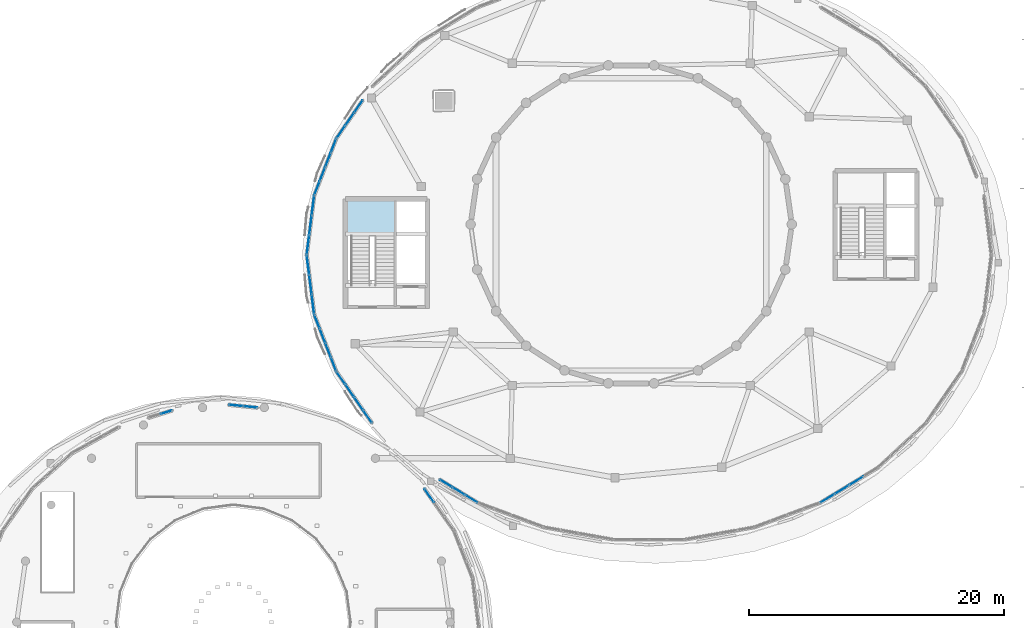
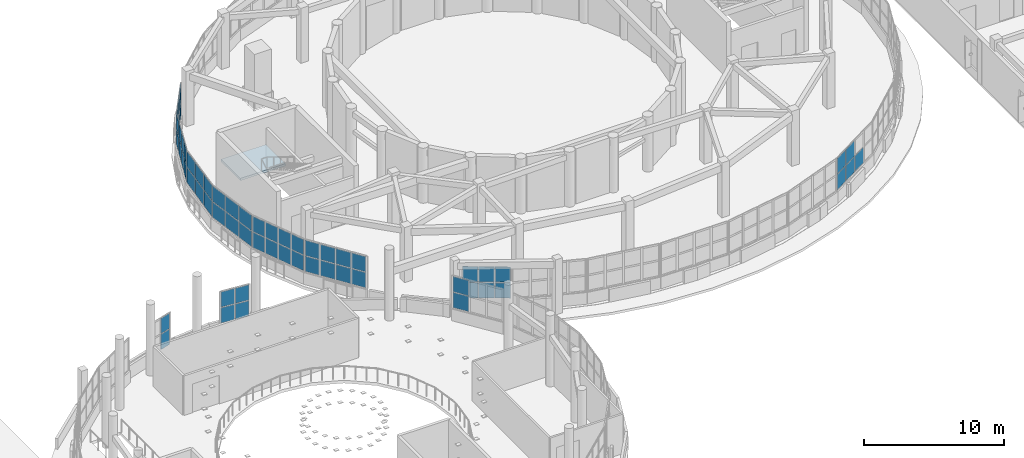
# One storey, part 76 of 105: 61 plates, 1 slab, 12 elements without a shape of their own.
"""IFC4 building model written with IfcOpenShell, lengths in metres."""

from ifc_helpers import new_model, si_unit, direction, frame, origin, origin_2d, place, context, subcontext, project, spatial, polyline, rectangle, outline, extrude, material, layer, layer_set, type_object, element, aggregate, save


model = new_model("IFC4")

# Units and contexts
model_context = context("Model", 3, precision=1e-05, world=origin(), true_north=direction((0.0, 1.0)))
body_context = subcontext(model_context, "Body", "Model", "MODEL_VIEW")
ifc_project = project(units=[si_unit("LENGTHUNIT", "METRE"), si_unit("AREAUNIT", "SQUARE_METRE"), si_unit("VOLUMEUNIT", "CUBIC_METRE"), si_unit("PLANEANGLEUNIT", "RADIAN"), si_unit("MASSUNIT", "GRAM", prefix="KILO")], contexts=[model_context])

# Site, building, storey
site_placement = place(None, origin())
site = spatial("IfcSite", under=ifc_project, at=site_placement, CompositionType="ELEMENT")
building_placement = place(site_placement, origin())
building = spatial("IfcBuilding", under=site, at=building_placement, Name="Pelvatis Terrace Science Centre", CompositionType="ELEMENT")
storey_placement = place(building_placement, frame((0.0, 0.0, 10.199951171875)))
storey = spatial("IfcBuildingStorey", under=building, at=storey_placement, Name="L02", CompositionType="ELEMENT", Elevation=10.199951171875)

# Curtain wall, plates
ifc_material_1 = material(Name="Bronze-anodised aluminium and laminated glass", Category="aluminium")
ifc_layer_1 = layer(ifc_material_1, 0.179931640625)
ifc_layer_set_1 = layer_set([ifc_layer_1], Name="Bronze-anodised aluminium and laminated glass")
curtain_wall_type = type_object("IfcCurtainWallType", Name="CW-RIBBON-A", PredefinedType="NOTDEFINED", material=ifc_layer_set_1)
curtain_wall_1_placement = place(storey_placement, origin())
curtain_wall_1 = element("IfcCurtainWall", 1, at=curtain_wall_1_placement, inside=storey, type_object=curtain_wall_type, Name="Ribbon curtain wall CW-079 (L02)", PredefinedType="NOTDEFINED")
ifc_material_2 = material(Name="Low-e laminated solar-control double glazing", Category="glass")
ifc_layer_2 = layer(ifc_material_2, 0.035888671875)
ifc_layer_set_2 = layer_set([ifc_layer_2], Name="Low-e laminated solar-control double glazing")
plate_type = type_object("IfcPlateType", Name="CWP-IGU-36", PredefinedType="CURTAIN_PANEL", material=ifc_layer_set_2)
plate_1_placement = place(storey_placement, frame((93.36181640625, 64.51611328125, 1.080078125), z_axis=(0.0, 0.0, 1.0), x_axis=(-0.57759146286, 0.8163259778, 0.0)))
plate_1 = element("IfcPlate", 2, at=plate_1_placement, type_object=plate_type, Name="CW-079 panel 3.1", PredefinedType="CURTAIN_PANEL", context=body_context, shape_type="SweptSolid", body=[
    extrude(rectangle(XDim=1.260986328125, YDim=0.035888671875, at=origin_2d()), origin(), (0.0, 0.0, 1.0), 1.330078125),
])
plate_2_placement = place(storey_placement, frame((93.36181640625, 64.51611328125, 2.469970703125), z_axis=(0.0, 0.0, 1.0), x_axis=(-0.57759146286, 0.8163259778, 0.0)))
plate_2 = element("IfcPlate", 3, at=plate_2_placement, type_object=plate_type, Name="CW-079 panel 3.2", PredefinedType="CURTAIN_PANEL", context=body_context, shape_type="SweptSolid", body=[
    extrude(rectangle(XDim=1.260986328125, YDim=0.035888671875, at=origin_2d()), origin(), (0.0, 0.0, 1.0), 1.330078125),
])
aggregate(curtain_wall_1, [plate_1, plate_2])

curtain_wall_2_placement = place(storey_placement, origin())
curtain_wall_2 = element("IfcCurtainWall", 4, at=curtain_wall_2_placement, inside=storey, type_object=curtain_wall_type, Name="Ribbon curtain wall CW-080 (L02)", PredefinedType="NOTDEFINED")
plate_3_placement = place(storey_placement, frame((79.322021484375, 71.477783203125, 1.080078125), z_axis=(0.0, 0.0, 1.0), x_axis=(-0.995032935496, 0.099546256977, 0.0)))
plate_3 = element("IfcPlate", 5, at=plate_3_placement, type_object=plate_type, Name="CW-080 panel 1.1", PredefinedType="CURTAIN_PANEL", context=body_context, shape_type="SweptSolid", body=[
    extrude(rectangle(XDim=1.07373046875, YDim=0.035888671875, at=origin_2d()), origin(), (0.0, 0.0, 1.0), 1.330078125),
])
plate_4_placement = place(storey_placement, frame((79.322021484375, 71.477783203125, 2.469970703125), z_axis=(0.0, 0.0, 1.0), x_axis=(-0.995032935496, 0.099546256977, 0.0)))
plate_4 = element("IfcPlate", 6, at=plate_4_placement, type_object=plate_type, Name="CW-080 panel 1.2", PredefinedType="CURTAIN_PANEL", context=body_context, shape_type="SweptSolid", body=[
    extrude(rectangle(XDim=1.07373046875, YDim=0.035888671875, at=origin_2d()), origin(), (0.0, 0.0, 1.0), 1.330078125),
])
plate_5_placement = place(storey_placement, frame((78.19384765625, 71.590576171875, 1.080078125), z_axis=(0.0, 0.0, 1.0), x_axis=(-0.995032935496, 0.099546256977, 0.0)))
plate_5 = element("IfcPlate", 7, at=plate_5_placement, type_object=plate_type, Name="CW-080 panel 2.1", PredefinedType="CURTAIN_PANEL", context=body_context, shape_type="SweptSolid", body=[
    extrude(rectangle(XDim=1.07373046875, YDim=0.035888671875, at=origin_2d()), origin(), (0.0, 0.0, 1.0), 1.330078125),
])
plate_6_placement = place(storey_placement, frame((78.19384765625, 71.590576171875, 2.469970703125), z_axis=(0.0, 0.0, 1.0), x_axis=(-0.995032935496, 0.099546256977, 0.0)))
plate_6 = element("IfcPlate", 8, at=plate_6_placement, type_object=plate_type, Name="CW-080 panel 2.2", PredefinedType="CURTAIN_PANEL", context=body_context, shape_type="SweptSolid", body=[
    extrude(rectangle(XDim=1.07373046875, YDim=0.035888671875, at=origin_2d()), origin(), (0.0, 0.0, 1.0), 1.330078125),
])
aggregate(curtain_wall_2, [plate_3, plate_4, plate_5, plate_6])

curtain_wall_3_placement = place(storey_placement, origin())
curtain_wall_3 = element("IfcCurtainWall", 9, at=curtain_wall_3_placement, inside=storey, type_object=curtain_wall_type, Name="Ribbon curtain wall CW-081 (L02)", PredefinedType="NOTDEFINED")
plate_7_placement = place(storey_placement, frame((72.729248046875, 71.0576171875, 1.080078125), z_axis=(0.0, 0.0, 1.0), x_axis=(-0.954960562512, -0.296732748523, 0.0)))
plate_7 = element("IfcPlate", 10, at=plate_7_placement, type_object=plate_type, Name="CW-081 panel 1.1", PredefinedType="CURTAIN_PANEL", context=body_context, shape_type="SweptSolid", body=[
    extrude(rectangle(XDim=0.923828125, YDim=0.035888671875, at=origin_2d()), origin(), (0.0, 0.0, 1.0), 1.330078125),
])
plate_8_placement = place(storey_placement, frame((72.729248046875, 71.0576171875, 2.469970703125), z_axis=(0.0, 0.0, 1.0), x_axis=(-0.954960562512, -0.296732748523, 0.0)))
plate_8 = element("IfcPlate", 11, at=plate_8_placement, type_object=plate_type, Name="CW-081 panel 1.2", PredefinedType="CURTAIN_PANEL", context=body_context, shape_type="SweptSolid", body=[
    extrude(rectangle(XDim=0.923828125, YDim=0.035888671875, at=origin_2d()), origin(), (0.0, 0.0, 1.0), 1.330078125),
])
aggregate(curtain_wall_3, [plate_7, plate_8])

curtain_wall_4_placement = place(storey_placement, origin())
curtain_wall_4 = element("IfcCurtainWall", 12, at=curtain_wall_4_placement, inside=storey, type_object=curtain_wall_type, Name="Ribbon curtain wall CW-166 (L02)", PredefinedType="NOTDEFINED")
plate_9_placement = place(storey_placement, frame((87.8046875, 95.041748046875, 1.080078125), z_axis=(0.0, 0.0, 1.0), x_axis=(-0.568200358358, -0.822890243448, 0.0)))
plate_9 = element("IfcPlate", 13, at=plate_9_placement, type_object=plate_type, Name="CW-166 panel 1.1", PredefinedType="CURTAIN_PANEL", context=body_context, shape_type="SweptSolid", body=[
    extrude(rectangle(XDim=1.13623046875, YDim=0.035888671875, at=origin_2d()), origin(), (0.0, 0.0, 1.0), 1.330078125),
])
plate_10_placement = place(storey_placement, frame((87.8046875, 95.041748046875, 2.469970703125), z_axis=(0.0, 0.0, 1.0), x_axis=(-0.568200358358, -0.822890243448, 0.0)))
plate_10 = element("IfcPlate", 14, at=plate_10_placement, type_object=plate_type, Name="CW-166 panel 1.2", PredefinedType="CURTAIN_PANEL", context=body_context, shape_type="SweptSolid", body=[
    extrude(rectangle(XDim=1.13623046875, YDim=0.035888671875, at=origin_2d()), origin(), (0.0, 0.0, 1.0), 1.330078125),
])
plate_11_placement = place(storey_placement, frame((87.116455078125, 94.044921875, 1.080078125), z_axis=(0.0, 0.0, 1.0), x_axis=(-0.568200358358, -0.822890243448, 0.0)))
plate_11 = element("IfcPlate", 15, at=plate_11_placement, type_object=plate_type, Name="CW-166 panel 2.1", PredefinedType="CURTAIN_PANEL", context=body_context, shape_type="SweptSolid", body=[
    extrude(rectangle(XDim=1.166259765625, YDim=0.035888671875, at=origin_2d()), origin(), (0.0, 0.0, 1.0), 1.330078125),
])
plate_12_placement = place(storey_placement, frame((87.116455078125, 94.044921875, 2.469970703125), z_axis=(0.0, 0.0, 1.0), x_axis=(-0.568200358358, -0.822890243448, 0.0)))
plate_12 = element("IfcPlate", 16, at=plate_12_placement, type_object=plate_type, Name="CW-166 panel 2.2", PredefinedType="CURTAIN_PANEL", context=body_context, shape_type="SweptSolid", body=[
    extrude(rectangle(XDim=1.166259765625, YDim=0.035888671875, at=origin_2d()), origin(), (0.0, 0.0, 1.0), 1.330078125),
])
plate_13_placement = place(storey_placement, frame((86.42822265625, 93.048095703125, 1.080078125), z_axis=(0.0, 0.0, 1.0), x_axis=(-0.568200358358, -0.822890243448, 0.0)))
plate_13 = element("IfcPlate", 17, at=plate_13_placement, type_object=plate_type, Name="CW-166 panel 3.1", PredefinedType="CURTAIN_PANEL", context=body_context, shape_type="SweptSolid", body=[
    extrude(rectangle(XDim=1.13623046875, YDim=0.035888671875, at=origin_2d()), origin(), (0.0, 0.0, 1.0), 1.330078125),
])
plate_14_placement = place(storey_placement, frame((86.42822265625, 93.048095703125, 2.469970703125), z_axis=(0.0, 0.0, 1.0), x_axis=(-0.568200358358, -0.822890243448, 0.0)))
plate_14 = element("IfcPlate", 18, at=plate_14_placement, type_object=plate_type, Name="CW-166 panel 3.2", PredefinedType="CURTAIN_PANEL", context=body_context, shape_type="SweptSolid", body=[
    extrude(rectangle(XDim=1.13623046875, YDim=0.035888671875, at=origin_2d()), origin(), (0.0, 0.0, 1.0), 1.330078125),
])
aggregate(curtain_wall_4, [plate_9, plate_10, plate_11, plate_12, plate_13, plate_14])

curtain_wall_5_placement = place(storey_placement, origin())
curtain_wall_5 = element("IfcCurtainWall", 19, at=curtain_wall_5_placement, inside=storey, type_object=curtain_wall_type, Name="Ribbon curtain wall CW-167 (L02)", PredefinedType="NOTDEFINED")
plate_15_placement = place(storey_placement, frame((85.84912109375, 91.959228515625, 1.080078125), z_axis=(0.0, 0.0, 1.0), x_axis=(-0.362220522536, -0.932092427313, 0.0)))
plate_15 = element("IfcPlate", 20, at=plate_15_placement, type_object=plate_type, Name="CW-167 panel 1.1", PredefinedType="CURTAIN_PANEL", context=body_context, shape_type="SweptSolid", body=[
    extrude(rectangle(XDim=1.107177734375, YDim=0.035888671875, at=origin_2d()), origin(), (0.0, 0.0, 1.0), 1.330078125),
])
plate_16_placement = place(storey_placement, frame((85.84912109375, 91.959228515625, 2.469970703125), z_axis=(0.0, 0.0, 1.0), x_axis=(-0.362220522536, -0.932092427313, 0.0)))
plate_16 = element("IfcPlate", 21, at=plate_16_placement, type_object=plate_type, Name="CW-167 panel 1.2", PredefinedType="CURTAIN_PANEL", context=body_context, shape_type="SweptSolid", body=[
    extrude(rectangle(XDim=1.107177734375, YDim=0.035888671875, at=origin_2d()), origin(), (0.0, 0.0, 1.0), 1.330078125),
])
plate_17_placement = place(storey_placement, frame((85.4208984375, 90.857421875, 1.080078125), z_axis=(0.0, 0.0, 1.0), x_axis=(-0.362220522536, -0.932092427313, 0.0)))
plate_17 = element("IfcPlate", 22, at=plate_17_placement, type_object=plate_type, Name="CW-167 panel 2.1", PredefinedType="CURTAIN_PANEL", context=body_context, shape_type="SweptSolid", body=[
    extrude(rectangle(XDim=1.13720703125, YDim=0.035888671875, at=origin_2d()), origin(), (0.0, 0.0, 1.0), 1.330078125),
])
plate_18_placement = place(storey_placement, frame((85.4208984375, 90.857421875, 2.469970703125), z_axis=(0.0, 0.0, 1.0), x_axis=(-0.362220522536, -0.932092427313, 0.0)))
plate_18 = element("IfcPlate", 23, at=plate_18_placement, type_object=plate_type, Name="CW-167 panel 2.2", PredefinedType="CURTAIN_PANEL", context=body_context, shape_type="SweptSolid", body=[
    extrude(rectangle(XDim=1.13720703125, YDim=0.035888671875, at=origin_2d()), origin(), (0.0, 0.0, 1.0), 1.330078125),
])
plate_19_placement = place(storey_placement, frame((84.987060546875, 89.741455078125, 1.080078125), z_axis=(0.0, 0.0, 1.0), x_axis=(-0.362220522536, -0.932092427313, 0.0)))
plate_19 = element("IfcPlate", 24, at=plate_19_placement, type_object=plate_type, Name="CW-167 panel 3.1", PredefinedType="CURTAIN_PANEL", context=body_context, shape_type="SweptSolid", body=[
    extrude(rectangle(XDim=1.13720703125, YDim=0.035888671875, at=origin_2d()), origin(), (0.0, 0.0, 1.0), 1.330078125),
])
plate_20_placement = place(storey_placement, frame((84.987060546875, 89.741455078125, 2.469970703125), z_axis=(0.0, 0.0, 1.0), x_axis=(-0.362220522536, -0.932092427313, 0.0)))
plate_20 = element("IfcPlate", 25, at=plate_20_placement, type_object=plate_type, Name="CW-167 panel 3.2", PredefinedType="CURTAIN_PANEL", context=body_context, shape_type="SweptSolid", body=[
    extrude(rectangle(XDim=1.13720703125, YDim=0.035888671875, at=origin_2d()), origin(), (0.0, 0.0, 1.0), 1.330078125),
])
plate_21_placement = place(storey_placement, frame((84.558837890625, 88.6396484375, 1.080078125), z_axis=(0.0, 0.0, 1.0), x_axis=(-0.362220522536, -0.932092427313, 0.0)))
plate_21 = element("IfcPlate", 26, at=plate_21_placement, type_object=plate_type, Name="CW-167 panel 4.1", PredefinedType="CURTAIN_PANEL", context=body_context, shape_type="SweptSolid", body=[
    extrude(rectangle(XDim=1.107177734375, YDim=0.035888671875, at=origin_2d()), origin(), (0.0, 0.0, 1.0), 1.330078125),
])
plate_22_placement = place(storey_placement, frame((84.558837890625, 88.6396484375, 2.469970703125), z_axis=(0.0, 0.0, 1.0), x_axis=(-0.362220522536, -0.932092427313, 0.0)))
plate_22 = element("IfcPlate", 27, at=plate_22_placement, type_object=plate_type, Name="CW-167 panel 4.2", PredefinedType="CURTAIN_PANEL", context=body_context, shape_type="SweptSolid", body=[
    extrude(rectangle(XDim=1.107177734375, YDim=0.035888671875, at=origin_2d()), origin(), (0.0, 0.0, 1.0), 1.330078125),
])
aggregate(curtain_wall_5, [plate_15, plate_16, plate_17, plate_18, plate_19, plate_20, plate_21, plate_22])

curtain_wall_6_placement = place(storey_placement, origin())
curtain_wall_6 = element("IfcCurtainWall", 28, at=curtain_wall_6_placement, inside=storey, type_object=curtain_wall_type, Name="Ribbon curtain wall CW-168 (L02)", PredefinedType="NOTDEFINED")
plate_23_placement = place(storey_placement, frame((84.237060546875, 87.27490234375, 1.080078125), z_axis=(0.0, 0.0, 1.0), x_axis=(-0.124714930048, -0.992192615485, 0.0)))
plate_23 = element("IfcPlate", 29, at=plate_23_placement, type_object=plate_type, Name="CW-168 panel 1.1", PredefinedType="CURTAIN_PANEL", context=body_context, shape_type="SweptSolid", body=[
    extrude(rectangle(XDim=1.47802734375, YDim=0.035888671875, at=origin_2d()), origin(), (0.0, 0.0, 1.0), 1.330078125),
])
plate_24_placement = place(storey_placement, frame((84.237060546875, 87.27490234375, 2.469970703125), z_axis=(0.0, 0.0, 1.0), x_axis=(-0.124714930048, -0.992192615485, 0.0)))
plate_24 = element("IfcPlate", 30, at=plate_24_placement, type_object=plate_type, Name="CW-168 panel 1.2", PredefinedType="CURTAIN_PANEL", context=body_context, shape_type="SweptSolid", body=[
    extrude(rectangle(XDim=1.47802734375, YDim=0.035888671875, at=origin_2d()), origin(), (0.0, 0.0, 1.0), 1.330078125),
])
plate_25_placement = place(storey_placement, frame((84.04345703125, 85.73388671875, 1.080078125), z_axis=(0.0, 0.0, 1.0), x_axis=(-0.124714930048, -0.992192615485, 0.0)))
plate_25 = element("IfcPlate", 31, at=plate_25_placement, type_object=plate_type, Name="CW-168 panel 2.1", PredefinedType="CURTAIN_PANEL", context=body_context, shape_type="SweptSolid", body=[
    extrude(rectangle(XDim=1.508056640625, YDim=0.035888671875, at=origin_2d()), origin(), (0.0, 0.0, 1.0), 1.330078125),
])
plate_26_placement = place(storey_placement, frame((84.04345703125, 85.73388671875, 2.469970703125), z_axis=(0.0, 0.0, 1.0), x_axis=(-0.124714930048, -0.992192615485, 0.0)))
plate_26 = element("IfcPlate", 32, at=plate_26_placement, type_object=plate_type, Name="CW-168 panel 2.2", PredefinedType="CURTAIN_PANEL", context=body_context, shape_type="SweptSolid", body=[
    extrude(rectangle(XDim=1.508056640625, YDim=0.035888671875, at=origin_2d()), origin(), (0.0, 0.0, 1.0), 1.330078125),
])
plate_27_placement = place(storey_placement, frame((83.849609375, 84.19287109375, 1.080078125), z_axis=(0.0, 0.0, 1.0), x_axis=(-0.124714930048, -0.992192615485, 0.0)))
plate_27 = element("IfcPlate", 33, at=plate_27_placement, type_object=plate_type, Name="CW-168 panel 3.1", PredefinedType="CURTAIN_PANEL", context=body_context, shape_type="SweptSolid", body=[
    extrude(rectangle(XDim=1.47802734375, YDim=0.035888671875, at=origin_2d()), origin(), (0.0, 0.0, 1.0), 1.330078125),
])
plate_28_placement = place(storey_placement, frame((83.849609375, 84.19287109375, 2.469970703125), z_axis=(0.0, 0.0, 1.0), x_axis=(-0.124714930048, -0.992192615485, 0.0)))
plate_28 = element("IfcPlate", 34, at=plate_28_placement, type_object=plate_type, Name="CW-168 panel 3.2", PredefinedType="CURTAIN_PANEL", context=body_context, shape_type="SweptSolid", body=[
    extrude(rectangle(XDim=1.47802734375, YDim=0.035888671875, at=origin_2d()), origin(), (0.0, 0.0, 1.0), 1.330078125),
])
aggregate(curtain_wall_6, [plate_23, plate_24, plate_25, plate_26, plate_27, plate_28])

curtain_wall_7_placement = place(storey_placement, origin())
curtain_wall_7 = element("IfcCurtainWall", 35, at=curtain_wall_7_placement, inside=storey, type_object=curtain_wall_type, Name="Ribbon curtain wall CW-169 (L02)", PredefinedType="NOTDEFINED")
plate_29_placement = place(storey_placement, frame((83.849609375, 82.607177734375, 1.080078125), z_axis=(0.0, 0.0, 1.0), x_axis=(0.124714930048, -0.992192615485, 0.0)))
plate_29 = element("IfcPlate", 36, at=plate_29_placement, type_object=plate_type, Name="CW-169 panel 1.1", PredefinedType="CURTAIN_PANEL", context=body_context, shape_type="SweptSolid", body=[
    extrude(rectangle(XDim=1.47802734375, YDim=0.035888671875, at=origin_2d()), origin(), (0.0, 0.0, 1.0), 1.330078125),
])
plate_30_placement = place(storey_placement, frame((83.849609375, 82.607177734375, 2.469970703125), z_axis=(0.0, 0.0, 1.0), x_axis=(0.124714930048, -0.992192615485, 0.0)))
plate_30 = element("IfcPlate", 37, at=plate_30_placement, type_object=plate_type, Name="CW-169 panel 1.2", PredefinedType="CURTAIN_PANEL", context=body_context, shape_type="SweptSolid", body=[
    extrude(rectangle(XDim=1.47802734375, YDim=0.035888671875, at=origin_2d()), origin(), (0.0, 0.0, 1.0), 1.330078125),
])
plate_31_placement = place(storey_placement, frame((84.04345703125, 81.066162109375, 1.080078125), z_axis=(0.0, 0.0, 1.0), x_axis=(0.124714930048, -0.992192615485, 0.0)))
plate_31 = element("IfcPlate", 38, at=plate_31_placement, type_object=plate_type, Name="CW-169 panel 2.1", PredefinedType="CURTAIN_PANEL", context=body_context, shape_type="SweptSolid", body=[
    extrude(rectangle(XDim=1.508056640625, YDim=0.035888671875, at=origin_2d()), origin(), (0.0, 0.0, 1.0), 1.330078125),
])
plate_32_placement = place(storey_placement, frame((84.04345703125, 81.066162109375, 2.469970703125), z_axis=(0.0, 0.0, 1.0), x_axis=(0.124714930048, -0.992192615485, 0.0)))
plate_32 = element("IfcPlate", 39, at=plate_32_placement, type_object=plate_type, Name="CW-169 panel 2.2", PredefinedType="CURTAIN_PANEL", context=body_context, shape_type="SweptSolid", body=[
    extrude(rectangle(XDim=1.508056640625, YDim=0.035888671875, at=origin_2d()), origin(), (0.0, 0.0, 1.0), 1.330078125),
])
plate_33_placement = place(storey_placement, frame((84.237060546875, 79.525146484375, 1.080078125), z_axis=(0.0, 0.0, 1.0), x_axis=(0.124714930048, -0.992192615485, 0.0)))
plate_33 = element("IfcPlate", 40, at=plate_33_placement, type_object=plate_type, Name="CW-169 panel 3.1", PredefinedType="CURTAIN_PANEL", context=body_context, shape_type="SweptSolid", body=[
    extrude(rectangle(XDim=1.47802734375, YDim=0.035888671875, at=origin_2d()), origin(), (0.0, 0.0, 1.0), 1.330078125),
])
plate_34_placement = place(storey_placement, frame((84.237060546875, 79.525146484375, 2.469970703125), z_axis=(0.0, 0.0, 1.0), x_axis=(0.124714930048, -0.992192615485, 0.0)))
plate_34 = element("IfcPlate", 41, at=plate_34_placement, type_object=plate_type, Name="CW-169 panel 3.2", PredefinedType="CURTAIN_PANEL", context=body_context, shape_type="SweptSolid", body=[
    extrude(rectangle(XDim=1.47802734375, YDim=0.035888671875, at=origin_2d()), origin(), (0.0, 0.0, 1.0), 1.330078125),
])
aggregate(curtain_wall_7, [plate_29, plate_30, plate_31, plate_32, plate_33, plate_34])

curtain_wall_8_placement = place(storey_placement, origin())
curtain_wall_8 = element("IfcCurtainWall", 42, at=curtain_wall_8_placement, inside=storey, type_object=curtain_wall_type, Name="Ribbon curtain wall CW-170 (L02)", PredefinedType="NOTDEFINED")
plate_35_placement = place(storey_placement, frame((84.558837890625, 78.160400390625, 1.080078125), z_axis=(0.0, 0.0, 1.0), x_axis=(0.362220522536, -0.932092427313, 0.0)))
plate_35 = element("IfcPlate", 43, at=plate_35_placement, type_object=plate_type, Name="CW-170 panel 1.1", PredefinedType="CURTAIN_PANEL", context=body_context, shape_type="SweptSolid", body=[
    extrude(rectangle(XDim=1.107177734375, YDim=0.035888671875, at=origin_2d()), origin(), (0.0, 0.0, 1.0), 1.330078125),
])
plate_36_placement = place(storey_placement, frame((84.558837890625, 78.160400390625, 2.469970703125), z_axis=(0.0, 0.0, 1.0), x_axis=(0.362220522536, -0.932092427313, 0.0)))
plate_36 = element("IfcPlate", 44, at=plate_36_placement, type_object=plate_type, Name="CW-170 panel 1.2", PredefinedType="CURTAIN_PANEL", context=body_context, shape_type="SweptSolid", body=[
    extrude(rectangle(XDim=1.107177734375, YDim=0.035888671875, at=origin_2d()), origin(), (0.0, 0.0, 1.0), 1.330078125),
])
plate_37_placement = place(storey_placement, frame((84.987060546875, 77.05859375, 1.080078125), z_axis=(0.0, 0.0, 1.0), x_axis=(0.362220522536, -0.932092427313, 0.0)))
plate_37 = element("IfcPlate", 45, at=plate_37_placement, type_object=plate_type, Name="CW-170 panel 2.1", PredefinedType="CURTAIN_PANEL", context=body_context, shape_type="SweptSolid", body=[
    extrude(rectangle(XDim=1.13720703125, YDim=0.035888671875, at=origin_2d()), origin(), (0.0, 0.0, 1.0), 1.330078125),
])
plate_38_placement = place(storey_placement, frame((84.987060546875, 77.05859375, 2.469970703125), z_axis=(0.0, 0.0, 1.0), x_axis=(0.362220522536, -0.932092427313, 0.0)))
plate_38 = element("IfcPlate", 46, at=plate_38_placement, type_object=plate_type, Name="CW-170 panel 2.2", PredefinedType="CURTAIN_PANEL", context=body_context, shape_type="SweptSolid", body=[
    extrude(rectangle(XDim=1.13720703125, YDim=0.035888671875, at=origin_2d()), origin(), (0.0, 0.0, 1.0), 1.330078125),
])
plate_39_placement = place(storey_placement, frame((85.4208984375, 75.942626953125, 1.080078125), z_axis=(0.0, 0.0, 1.0), x_axis=(0.362220522536, -0.932092427313, 0.0)))
plate_39 = element("IfcPlate", 47, at=plate_39_placement, type_object=plate_type, Name="CW-170 panel 3.1", PredefinedType="CURTAIN_PANEL", context=body_context, shape_type="SweptSolid", body=[
    extrude(rectangle(XDim=1.13720703125, YDim=0.035888671875, at=origin_2d()), origin(), (0.0, 0.0, 1.0), 1.330078125),
])
plate_40_placement = place(storey_placement, frame((85.4208984375, 75.942626953125, 2.469970703125), z_axis=(0.0, 0.0, 1.0), x_axis=(0.362220522536, -0.932092427313, 0.0)))
plate_40 = element("IfcPlate", 48, at=plate_40_placement, type_object=plate_type, Name="CW-170 panel 3.2", PredefinedType="CURTAIN_PANEL", context=body_context, shape_type="SweptSolid", body=[
    extrude(rectangle(XDim=1.13720703125, YDim=0.035888671875, at=origin_2d()), origin(), (0.0, 0.0, 1.0), 1.330078125),
])
plate_41_placement = place(storey_placement, frame((85.84912109375, 74.8408203125, 1.080078125), z_axis=(0.0, 0.0, 1.0), x_axis=(0.362220522536, -0.932092427313, 0.0)))
plate_41 = element("IfcPlate", 49, at=plate_41_placement, type_object=plate_type, Name="CW-170 panel 4.1", PredefinedType="CURTAIN_PANEL", context=body_context, shape_type="SweptSolid", body=[
    extrude(rectangle(XDim=1.107177734375, YDim=0.035888671875, at=origin_2d()), origin(), (0.0, 0.0, 1.0), 1.330078125),
])
plate_42_placement = place(storey_placement, frame((85.84912109375, 74.8408203125, 2.469970703125), z_axis=(0.0, 0.0, 1.0), x_axis=(0.362220522536, -0.932092427313, 0.0)))
plate_42 = element("IfcPlate", 50, at=plate_42_placement, type_object=plate_type, Name="CW-170 panel 4.2", PredefinedType="CURTAIN_PANEL", context=body_context, shape_type="SweptSolid", body=[
    extrude(rectangle(XDim=1.107177734375, YDim=0.035888671875, at=origin_2d()), origin(), (0.0, 0.0, 1.0), 1.330078125),
])
aggregate(curtain_wall_8, [plate_35, plate_36, plate_37, plate_38, plate_39, plate_40, plate_41, plate_42])

curtain_wall_9_placement = place(storey_placement, origin())
curtain_wall_9 = element("IfcCurtainWall", 51, at=curtain_wall_9_placement, inside=storey, type_object=curtain_wall_type, Name="Ribbon curtain wall CW-171 (L02)", PredefinedType="NOTDEFINED")
plate_43_placement = place(storey_placement, frame((86.4306640625, 73.748291015625, 1.080078125), z_axis=(0.0, 0.0, 1.0), x_axis=(0.568203120626, -0.822888336113, 0.0)))
plate_43 = element("IfcPlate", 52, at=plate_43_placement, type_object=plate_type, Name="CW-171 panel 1.1", PredefinedType="CURTAIN_PANEL", context=body_context, shape_type="SweptSolid", body=[
    extrude(rectangle(XDim=1.144775390625, YDim=0.035888671875, at=origin_2d()), origin(), (0.0, 0.0, 1.0), 1.330078125),
])
plate_44_placement = place(storey_placement, frame((86.4306640625, 73.748291015625, 2.469970703125), z_axis=(0.0, 0.0, 1.0), x_axis=(0.568203120626, -0.822888336113, 0.0)))
plate_44 = element("IfcPlate", 53, at=plate_44_placement, type_object=plate_type, Name="CW-171 panel 1.2", PredefinedType="CURTAIN_PANEL", context=body_context, shape_type="SweptSolid", body=[
    extrude(rectangle(XDim=1.144775390625, YDim=0.035888671875, at=origin_2d()), origin(), (0.0, 0.0, 1.0), 1.330078125),
])
plate_45_placement = place(storey_placement, frame((87.123779296875, 72.74462890625, 1.080078125), z_axis=(0.0, 0.0, 1.0), x_axis=(0.568203120626, -0.822888336113, 0.0)))
plate_45 = element("IfcPlate", 54, at=plate_45_placement, type_object=plate_type, Name="CW-171 panel 2.1", PredefinedType="CURTAIN_PANEL", context=body_context, shape_type="SweptSolid", body=[
    extrude(rectangle(XDim=1.1748046875, YDim=0.035888671875, at=origin_2d()), origin(), (0.0, 0.0, 1.0), 1.330078125),
])
plate_46_placement = place(storey_placement, frame((87.123779296875, 72.74462890625, 2.469970703125), z_axis=(0.0, 0.0, 1.0), x_axis=(0.568203120626, -0.822888336113, 0.0)))
plate_46 = element("IfcPlate", 55, at=plate_46_placement, type_object=plate_type, Name="CW-171 panel 2.2", PredefinedType="CURTAIN_PANEL", context=body_context, shape_type="SweptSolid", body=[
    extrude(rectangle(XDim=1.1748046875, YDim=0.035888671875, at=origin_2d()), origin(), (0.0, 0.0, 1.0), 1.330078125),
])
plate_47_placement = place(storey_placement, frame((87.825439453125, 71.728515625, 1.080078125), z_axis=(0.0, 0.0, 1.0), x_axis=(0.568203120626, -0.822888336113, 0.0)))
plate_47 = element("IfcPlate", 56, at=plate_47_placement, type_object=plate_type, Name="CW-171 panel 3.1", PredefinedType="CURTAIN_PANEL", context=body_context, shape_type="SweptSolid", body=[
    extrude(rectangle(XDim=1.1748046875, YDim=0.035888671875, at=origin_2d()), origin(), (0.0, 0.0, 1.0), 1.330078125),
])
plate_48_placement = place(storey_placement, frame((87.825439453125, 71.728515625, 2.469970703125), z_axis=(0.0, 0.0, 1.0), x_axis=(0.568203120626, -0.822888336113, 0.0)))
plate_48 = element("IfcPlate", 57, at=plate_48_placement, type_object=plate_type, Name="CW-171 panel 3.2", PredefinedType="CURTAIN_PANEL", context=body_context, shape_type="SweptSolid", body=[
    extrude(rectangle(XDim=1.1748046875, YDim=0.035888671875, at=origin_2d()), origin(), (0.0, 0.0, 1.0), 1.330078125),
])
plate_49_placement = place(storey_placement, frame((88.5185546875, 70.724609375, 1.080078125), z_axis=(0.0, 0.0, 1.0), x_axis=(0.568203120626, -0.822888336113, 0.0)))
plate_49 = element("IfcPlate", 58, at=plate_49_placement, type_object=plate_type, Name="CW-171 panel 4.1", PredefinedType="CURTAIN_PANEL", context=body_context, shape_type="SweptSolid", body=[
    extrude(rectangle(XDim=1.144775390625, YDim=0.035888671875, at=origin_2d()), origin(), (0.0, 0.0, 1.0), 1.330078125),
])
plate_50_placement = place(storey_placement, frame((88.5185546875, 70.724609375, 2.469970703125), z_axis=(0.0, 0.0, 1.0), x_axis=(0.568203120626, -0.822888336113, 0.0)))
plate_50 = element("IfcPlate", 59, at=plate_50_placement, type_object=plate_type, Name="CW-171 panel 4.2", PredefinedType="CURTAIN_PANEL", context=body_context, shape_type="SweptSolid", body=[
    extrude(rectangle(XDim=1.144775390625, YDim=0.035888671875, at=origin_2d()), origin(), (0.0, 0.0, 1.0), 1.330078125),
])
aggregate(curtain_wall_9, [plate_43, plate_44, plate_45, plate_46, plate_47, plate_48, plate_49, plate_50])

curtain_wall_10_placement = place(storey_placement, origin())
curtain_wall_10 = element("IfcCurtainWall", 60, at=curtain_wall_10_placement, inside=storey, type_object=curtain_wall_type, Name="Ribbon curtain wall CW-172 (L02)", PredefinedType="NOTDEFINED")
plate_51_placement = place(storey_placement, frame((94.673583984375, 65.477294921875, 1.080078125), z_axis=(0.0, 0.0, 1.0), x_axis=(0.854663172633, -0.519182878517, 0.0)))
plate_51 = element("IfcPlate", 61, at=plate_51_placement, type_object=plate_type, Name="CW-172 panel 1.1", PredefinedType="CURTAIN_PANEL", context=body_context, shape_type="SweptSolid", body=[
    extrude(rectangle(XDim=1.086669921875, YDim=0.035888671875, at=origin_2d()), origin(), (0.0, 0.0, 1.0), 1.330078125),
])
plate_52_placement = place(storey_placement, frame((94.673583984375, 65.477294921875, 2.469970703125), z_axis=(0.0, 0.0, 1.0), x_axis=(0.854663172633, -0.519182878517, 0.0)))
plate_52 = element("IfcPlate", 62, at=plate_52_placement, type_object=plate_type, Name="CW-172 panel 1.2", PredefinedType="CURTAIN_PANEL", context=body_context, shape_type="SweptSolid", body=[
    extrude(rectangle(XDim=1.086669921875, YDim=0.035888671875, at=origin_2d()), origin(), (0.0, 0.0, 1.0), 1.330078125),
])
plate_53_placement = place(storey_placement, frame((95.66650390625, 64.8740234375, 1.080078125), z_axis=(0.0, 0.0, 1.0), x_axis=(0.854663172633, -0.519182878517, 0.0)))
plate_53 = element("IfcPlate", 63, at=plate_53_placement, type_object=plate_type, Name="CW-172 panel 2.1", PredefinedType="CURTAIN_PANEL", context=body_context, shape_type="SweptSolid", body=[
    extrude(rectangle(XDim=1.11669921875, YDim=0.035888671875, at=origin_2d()), origin(), (0.0, 0.0, 1.0), 1.330078125),
])
plate_54_placement = place(storey_placement, frame((95.66650390625, 64.8740234375, 2.469970703125), z_axis=(0.0, 0.0, 1.0), x_axis=(0.854663172633, -0.519182878517, 0.0)))
plate_54 = element("IfcPlate", 64, at=plate_54_placement, type_object=plate_type, Name="CW-172 panel 2.2", PredefinedType="CURTAIN_PANEL", context=body_context, shape_type="SweptSolid", body=[
    extrude(rectangle(XDim=1.11669921875, YDim=0.035888671875, at=origin_2d()), origin(), (0.0, 0.0, 1.0), 1.330078125),
])
plate_55_placement = place(storey_placement, frame((96.659423828125, 64.27099609375, 1.080078125), z_axis=(0.0, 0.0, 1.0), x_axis=(0.854663172633, -0.519182878517, 0.0)))
plate_55 = element("IfcPlate", 65, at=plate_55_placement, type_object=plate_type, Name="CW-172 panel 3.1", PredefinedType="CURTAIN_PANEL", context=body_context, shape_type="SweptSolid", body=[
    extrude(rectangle(XDim=1.086669921875, YDim=0.035888671875, at=origin_2d()), origin(), (0.0, 0.0, 1.0), 1.330078125),
])
plate_56_placement = place(storey_placement, frame((96.659423828125, 64.27099609375, 2.469970703125), z_axis=(0.0, 0.0, 1.0), x_axis=(0.854663172633, -0.519182878517, 0.0)))
plate_56 = element("IfcPlate", 66, at=plate_56_placement, type_object=plate_type, Name="CW-172 panel 3.2", PredefinedType="CURTAIN_PANEL", context=body_context, shape_type="SweptSolid", body=[
    extrude(rectangle(XDim=1.086669921875, YDim=0.035888671875, at=origin_2d()), origin(), (0.0, 0.0, 1.0), 1.330078125),
])
aggregate(curtain_wall_10, [plate_51, plate_52, plate_53, plate_54, plate_55, plate_56])

curtain_wall_11_placement = place(storey_placement, origin())
curtain_wall_11 = element("IfcCurtainWall", 67, at=curtain_wall_11_placement, inside=storey, type_object=curtain_wall_type, Name="Ribbon curtain wall CW-178 (L02)", PredefinedType="NOTDEFINED")
plate_57_placement = place(storey_placement, frame((124.60546875, 64.310302734375, 1.080078125), z_axis=(0.0, 0.0, 1.0), x_axis=(0.854658677279, 0.519190278561, 0.0)))
plate_57 = element("IfcPlate", 68, at=plate_57_placement, type_object=plate_type, Name="CW-178 panel 1.1", PredefinedType="CURTAIN_PANEL", context=body_context, shape_type="SweptSolid", body=[
    extrude(rectangle(XDim=1.23828125, YDim=0.035888671875, at=origin_2d()), origin(), (0.0, 0.0, 1.0), 1.330078125),
])
plate_58_placement = place(storey_placement, frame((124.60546875, 64.310302734375, 2.469970703125), z_axis=(0.0, 0.0, 1.0), x_axis=(0.854658677279, 0.519190278561, 0.0)))
plate_58 = element("IfcPlate", 69, at=plate_58_placement, type_object=plate_type, Name="CW-178 panel 1.2", PredefinedType="CURTAIN_PANEL", context=body_context, shape_type="SweptSolid", body=[
    extrude(rectangle(XDim=1.23828125, YDim=0.035888671875, at=origin_2d()), origin(), (0.0, 0.0, 1.0), 1.330078125),
])
plate_59_placement = place(storey_placement, frame((125.72802734375, 64.9921875, 1.080078125), z_axis=(0.0, 0.0, 1.0), x_axis=(0.854658677279, 0.519190278561, 0.0)))
plate_59 = element("IfcPlate", 70, at=plate_59_placement, type_object=plate_type, Name="CW-178 panel 2.1", PredefinedType="CURTAIN_PANEL", context=body_context, shape_type="SweptSolid", body=[
    extrude(rectangle(XDim=1.268310546875, YDim=0.035888671875, at=origin_2d()), origin(), (0.0, 0.0, 1.0), 1.330078125),
])
plate_60_placement = place(storey_placement, frame((125.72802734375, 64.9921875, 2.469970703125), z_axis=(0.0, 0.0, 1.0), x_axis=(0.854658677279, 0.519190278561, 0.0)))
plate_60 = element("IfcPlate", 71, at=plate_60_placement, type_object=plate_type, Name="CW-178 panel 2.2", PredefinedType="CURTAIN_PANEL", context=body_context, shape_type="SweptSolid", body=[
    extrude(rectangle(XDim=1.268310546875, YDim=0.035888671875, at=origin_2d()), origin(), (0.0, 0.0, 1.0), 1.330078125),
])
plate_61_placement = place(storey_placement, frame((126.86328125, 65.681884765625, 1.080078125), z_axis=(0.0, 0.0, 1.0), x_axis=(0.854658677279, 0.519190278561, 0.0)))
plate_61 = element("IfcPlate", 72, at=plate_61_placement, type_object=plate_type, Name="CW-178 panel 3.1", PredefinedType="CURTAIN_PANEL", context=body_context, shape_type="SweptSolid", body=[
    extrude(rectangle(XDim=1.268310546875, YDim=0.035888671875, at=origin_2d()), origin(), (0.0, 0.0, 1.0), 1.330078125),
])
aggregate(curtain_wall_11, [plate_57, plate_58, plate_59, plate_60, plate_61])

# Stair, slab
ifc_material_3 = material(Name="Concrete C35/45", Category="concrete")
stair_type = type_object("IfcStairType", Name="STR-2RUN-1500-48", PredefinedType="TWO_STRAIGHT_RUN_STAIR", material=ifc_material_3)
stair_placement = place(storey_placement, origin())
stair = element("IfcStair", 73, at=stair_placement, inside=storey, type_object=stair_type, Name="Protected core stair ST-01-L02", PredefinedType="TWO_STRAIGHT_RUN_STAIR")
ifc_material_4 = material(Name="Concrete C35/45", Category="concrete")
ifc_layer_3 = layer(ifc_material_4, 0.199951171875)
ifc_layer_set_3 = layer_set([ifc_layer_3], Name="Concrete C35/45")
slab_type = type_object("IfcSlabType", Name="SLB-LND-200", PredefinedType="LANDING", material=ifc_layer_set_3)
slab_placement = place(storey_placement, frame((0.0, 0.0, 2.199951171875)))
slab = element("IfcSlab", 74, at=slab_placement, type_object=slab_type, Name="ST-01-L02 landing 1", PredefinedType="LANDING", context=body_context, shape_type="SweptSolid", body=[
    extrude(outline(polyline([(86.929931640625, 84.89990234375), (90.64990234375, 84.89990234375), (90.64990234375, 87.669921875), (86.929931640625, 87.669921875), (86.929931640625, 84.89990234375)])), origin(), (0.0, 0.0, 1.0), 0.2001953125),
])
aggregate(stair, [slab])

save(model, "model.ifc")
